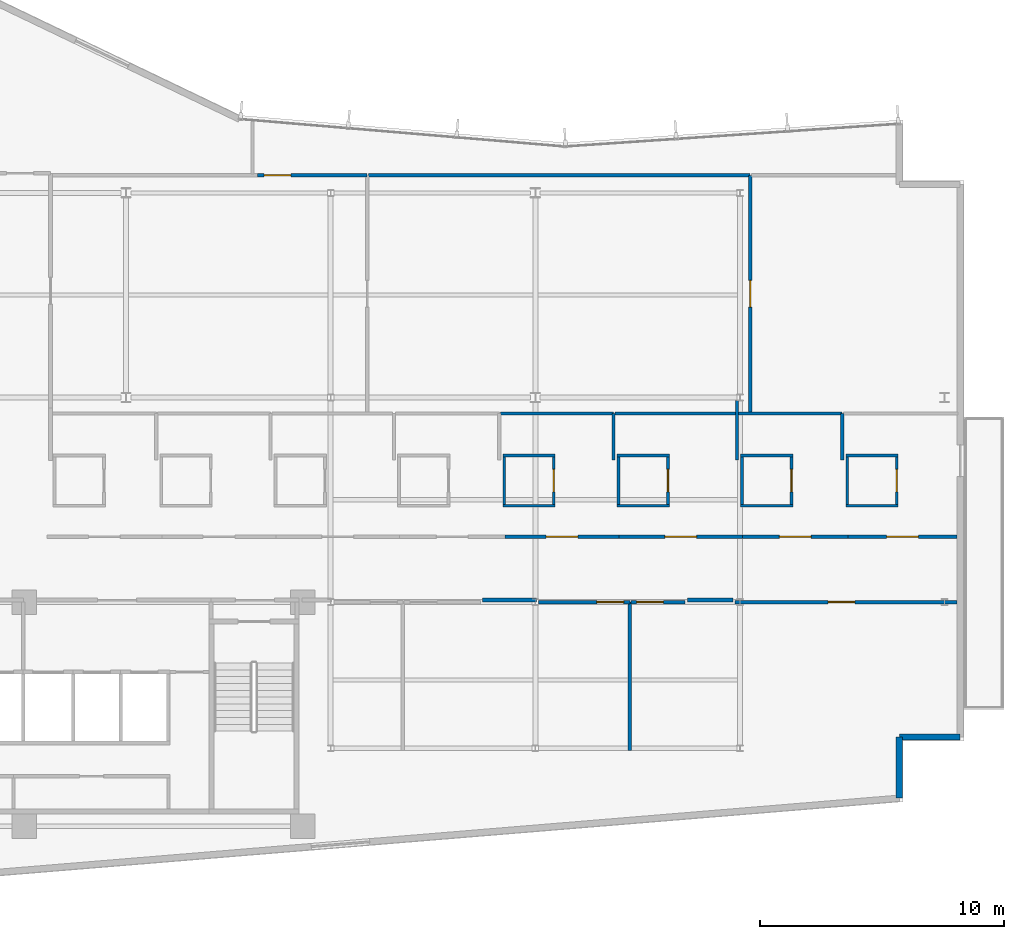
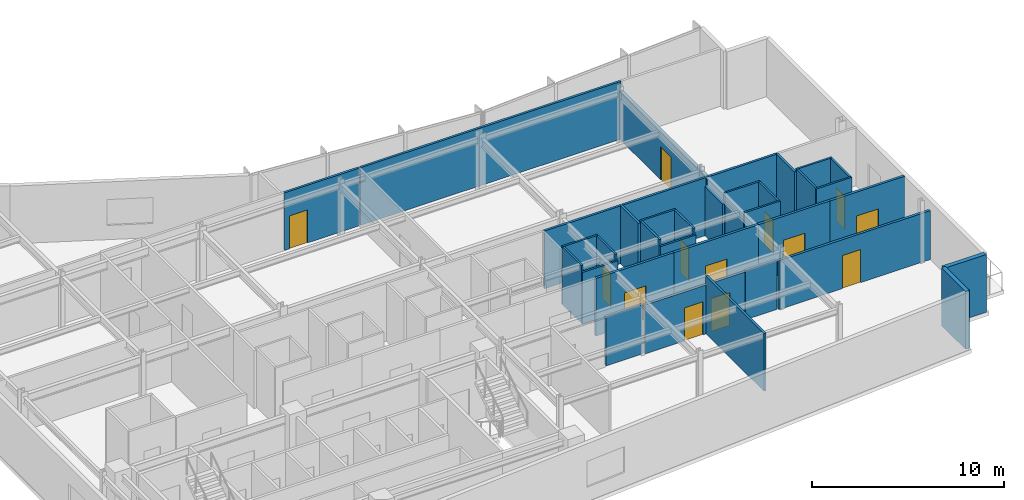
# One storey, part 11 of 15: 37 walls, 13 doors, 13 openings.
"""IFC4 building model written with IfcOpenShell, lengths in metres."""

from ifc_helpers import new_model, si_unit, direction, frame, frame_2d, origin, place, context, subcontext, project, spatial, rectangle, extrude, material, layer, layer_set, type_object, element, fill, save


model = new_model("IFC4")

# Units and contexts
model_context = context("Model", 3, precision=1e-05, world=origin(), true_north=direction((0.0, 1.0)))
body_context = subcontext(model_context, "Body", "Model", "MODEL_VIEW")
ifc_project = project(units=[si_unit("LENGTHUNIT", "METRE"), si_unit("AREAUNIT", "SQUARE_METRE"), si_unit("VOLUMEUNIT", "CUBIC_METRE"), si_unit("PLANEANGLEUNIT", "RADIAN"), si_unit("MASSUNIT", "GRAM", prefix="KILO")], contexts=[model_context])

# Site, building, storey
site_placement = place(None, origin())
site = spatial("IfcSite", under=ifc_project, at=site_placement, CompositionType="ELEMENT")
building_placement = place(site_placement, origin())
building = spatial("IfcBuilding", under=site, at=building_placement, Name="Varnakote Quay Hospital", CompositionType="ELEMENT")
storey_placement = place(building_placement, frame((0.0, 0.0, 231.60009765625)))
storey = spatial("IfcBuildingStorey", under=building, at=storey_placement, Name="L57", CompositionType="ELEMENT", Elevation=231.60009765625)

# Walls
ifc_material_1 = material(Name="Fire-rated acoustic gypsum stud wall", Category="gypsum")
ifc_layer_1 = layer(ifc_material_1, 0.159912109375)
ifc_layer_set_1 = layer_set([ifc_layer_1], Name="Fire-rated acoustic gypsum stud wall")
wall_type_1 = type_object("IfcWallType", Name="WL-COMP-160", PredefinedType="PARTITIONING", material=ifc_layer_set_1)
wall_1_placement = place(storey_placement, frame((31.439208984375, 12.080078125, 0.0), z_axis=(0.0, 0.0, 1.0), x_axis=(1.0, 0.0, 0.0)))
element("IfcWall", 1, at=wall_1_placement, inside=storey, type_object=wall_type_1, Name="L57 Corridor South Gap Wall", PredefinedType="PARTITIONING", context=body_context, shape_type="SweptSolid", body=[
    extrude(rectangle(XDim=2.199462890625, YDim=0.159912109375, at=frame_2d((1.099609375, 0.0))), origin(), (0.0, 0.0, 1.0), 3.11181640625),
])
wall_2_placement = place(storey_placement, frame((39.83935546875, 12.080078125, 0.0), z_axis=(0.0, 0.0, 1.0), x_axis=(1.0, 0.0, 0.0)))
element("IfcWall", 2, at=wall_2_placement, inside=storey, type_object=wall_type_1, Name="L57 Corridor South Gap Wall", PredefinedType="PARTITIONING", context=body_context, shape_type="SweptSolid", body=[
    extrude(rectangle(XDim=1.871337890625, YDim=0.159912109375, at=frame_2d((0.935546875, 0.0))), origin(), (0.0, 0.0, 1.0), 3.11181640625),
])
ifc_material_2 = material(Name="Moisture-resistant bathroom partition", Category="gypsum")
ifc_layer_2 = layer(ifc_material_2, 0.114990234375)
ifc_layer_set_2 = layer_set([ifc_layer_2], Name="Moisture-resistant bathroom partition")
wall_type_2 = type_object("IfcWallType", Name="WL-ENS-115", PredefinedType="PARTITIONING", material=ifc_layer_set_2)
wall_3_placement = place(storey_placement, frame((32.264892578125, 15.952392578125, 0.0), z_axis=(0.0, 0.0, 1.0), x_axis=(1.0, 0.0, 0.0)))
element("IfcWall", 3, at=wall_3_placement, inside=storey, type_object=wall_type_2, Name="L57 Inpatient En-Suite Bathroom 05 S Wall", PredefinedType="PARTITIONING", context=body_context, shape_type="SweptSolid", body=[
    extrude(rectangle(XDim=2.150146484375, YDim=0.114990234375, at=frame_2d((1.0751953125, 0.0))), origin(), (0.0, 0.0, 1.0), 3.288818359375),
])
wall_4_placement = place(storey_placement, frame((32.264892578125, 18.017578125, 0.0), z_axis=(0.0, 0.0, 1.0), x_axis=(1.0, 0.0, 0.0)))
element("IfcWall", 4, at=wall_4_placement, inside=storey, type_object=wall_type_2, Name="L57 Inpatient En-Suite Bathroom 05 N Wall", PredefinedType="PARTITIONING", context=body_context, shape_type="SweptSolid", body=[
    extrude(rectangle(XDim=2.150146484375, YDim=0.114990234375, at=frame_2d((1.0751953125, 0.0))), origin(), (0.0, 0.0, 1.0), 3.669921875),
])
wall_5_placement = place(storey_placement, frame((32.322509765625, 16.010009765625, 0.0), z_axis=(0.0, 0.0, 1.0), x_axis=(0.0, 1.0, 0.0)))
element("IfcWall", 5, at=wall_5_placement, inside=storey, type_object=wall_type_2, Name="L57 Inpatient En-Suite Bathroom 05 W Wall", PredefinedType="PARTITIONING", context=body_context, shape_type="SweptSolid", body=[
    extrude(rectangle(XDim=1.949951171875, YDim=0.114990234375, at=frame_2d((0.97509765625, 0.0))), origin(), (0.0, 0.0, 1.0), 3.669921875),
])

# Wall, opening, door
wall_6_placement = place(storey_placement, frame((34.357421875, 16.010009765625, 0.0), z_axis=(0.0, 0.0, 1.0), x_axis=(0.0, 1.0, 0.0)))
wall_6 = element("IfcWall", 6, at=wall_6_placement, inside=storey, type_object=wall_type_2, Name="L57 Inpatient En-Suite Bathroom 05 E Wall", PredefinedType="PARTITIONING", context=body_context, shape_type="SweptSolid", body=[
    extrude(rectangle(XDim=1.949951171875, YDim=0.114990234375, at=frame_2d((0.97509765625, 0.0))), origin(), (0.0, 0.0, 1.0), 3.669921875),
])
opening_1_placement = place(wall_6_placement, frame((0.514892578125, 0.0, 0.0)))
opening_1 = element("IfcOpeningElement", 7, at=opening_1_placement, cuts=wall_6, Name="Opening D-L57-ENS05", PredefinedType="OPENING", context=body_context, shape_type="SweptSolid", body=[
    extrude(rectangle(XDim=0.919921875, YDim=2.10009765625, at=frame_2d((0.4599609375, 1.050048828125))), frame((0.0, 0.0673828125, 0.0), z_axis=(0.0, -1.0, 0.0), x_axis=(1.0, 0.0, 0.0)), (0.0, 0.0, 1.0), 0.135009765625),
])
ifc_material_3 = material(Name="Moisture-sealed en-suite bathroom door")
door_type_1 = type_object("IfcDoorType", Name="DR-ENS-920x2100", OperationType="NOTDEFINED", PredefinedType="DOOR", material=ifc_material_3)
door_1_placement = place(opening_1_placement, origin())
door_1 = element("IfcDoor", 8, at=door_1_placement, inside=storey, type_object=door_type_1, Name="L57 Inpatient En-Suite Bathroom 05 Door", OperationType="SINGLE_SWING_LEFT", OverallHeight=2.10009765625, OverallWidth=0.919921875, PredefinedType="DOOR", context=body_context, shape_type="SweptSolid", body=[
    extrude(rectangle(XDim=0.919921875, YDim=2.10009765625, at=frame_2d((0.4599609375, 1.050048828125))), frame((0.0, 0.02490234375, 0.0), z_axis=(0.0, -1.0, 0.0), x_axis=(1.0, 0.0, 0.0)), (0.0, 0.0, 1.0), 0.050048828125),
])
fill(opening_1, door_1)

# Walls
wall_7_placement = place(storey_placement, frame((36.955078125, 15.952392578125, 0.0), z_axis=(0.0, 0.0, 1.0), x_axis=(1.0, 0.0, 0.0)))
element("IfcWall", 9, at=wall_7_placement, inside=storey, type_object=wall_type_2, Name="L57 Inpatient En-Suite Bathroom 06 S Wall", PredefinedType="PARTITIONING", context=body_context, shape_type="SweptSolid", body=[
    extrude(rectangle(XDim=2.14990234375, YDim=0.114990234375, at=frame_2d((1.074951171875, 0.0))), origin(), (0.0, 0.0, 1.0), 3.288818359375),
])
wall_8_placement = place(storey_placement, frame((36.955078125, 18.017578125, 0.0), z_axis=(0.0, 0.0, 1.0), x_axis=(1.0, 0.0, 0.0)))
element("IfcWall", 10, at=wall_8_placement, inside=storey, type_object=wall_type_2, Name="L57 Inpatient En-Suite Bathroom 06 N Wall", PredefinedType="PARTITIONING", context=body_context, shape_type="SweptSolid", body=[
    extrude(rectangle(XDim=2.14990234375, YDim=0.114990234375, at=frame_2d((1.074951171875, 0.0))), origin(), (0.0, 0.0, 1.0), 3.669921875),
])
wall_9_placement = place(storey_placement, frame((37.012451171875, 16.010009765625, 0.0), z_axis=(0.0, 0.0, 1.0), x_axis=(0.0, 1.0, 0.0)))
element("IfcWall", 11, at=wall_9_placement, inside=storey, type_object=wall_type_2, Name="L57 Inpatient En-Suite Bathroom 06 W Wall", PredefinedType="PARTITIONING", context=body_context, shape_type="SweptSolid", body=[
    extrude(rectangle(XDim=1.949951171875, YDim=0.114990234375, at=frame_2d((0.97509765625, 0.0))), origin(), (0.0, 0.0, 1.0), 3.669921875),
])

# Wall, opening, door
wall_10_placement = place(storey_placement, frame((39.047607421875, 16.010009765625, 0.0), z_axis=(0.0, 0.0, 1.0), x_axis=(0.0, 1.0, 0.0)))
wall_10 = element("IfcWall", 12, at=wall_10_placement, inside=storey, type_object=wall_type_2, Name="L57 Inpatient En-Suite Bathroom 06 E Wall", PredefinedType="PARTITIONING", context=body_context, shape_type="SweptSolid", body=[
    extrude(rectangle(XDim=1.949951171875, YDim=0.114990234375, at=frame_2d((0.97509765625, 0.0))), origin(), (0.0, 0.0, 1.0), 3.669921875),
])
opening_2_placement = place(wall_10_placement, frame((0.514892578125, 0.0, 0.0)))
opening_2 = element("IfcOpeningElement", 13, at=opening_2_placement, cuts=wall_10, Name="Opening D-L57-ENS06", PredefinedType="OPENING", context=body_context, shape_type="SweptSolid", body=[
    extrude(rectangle(XDim=0.919921875, YDim=2.10009765625, at=frame_2d((0.4599609375, 1.050048828125))), frame((0.0, 0.0673828125, 0.0), z_axis=(0.0, -1.0, 0.0), x_axis=(1.0, 0.0, 0.0)), (0.0, 0.0, 1.0), 0.135009765625),
])
door_2_placement = place(opening_2_placement, origin())
door_2 = element("IfcDoor", 14, at=door_2_placement, inside=storey, type_object=door_type_1, Name="L57 Inpatient En-Suite Bathroom 06 Door", OperationType="SINGLE_SWING_RIGHT", OverallHeight=2.10009765625, OverallWidth=0.919921875, PredefinedType="DOOR", context=body_context, shape_type="SweptSolid", body=[
    extrude(rectangle(XDim=0.919921875, YDim=2.10009765625, at=frame_2d((0.4599609375, 1.050048828125))), frame((0.0, 0.02490234375, 0.0), z_axis=(0.0, -1.0, 0.0), x_axis=(1.0, 0.0, 0.0)), (0.0, 0.0, 1.0), 0.050048828125),
])
fill(opening_2, door_2)

# Walls
for number, where, z_axis, x_axis, name in (
    (15, (42.02490234375, 15.952392578125, 0.0), (0.0, 0.0, 1.0), (1.0, 0.0, 0.0), "L57 Inpatient En-Suite Bathroom 07 S Wall"),
    (16, (42.02490234375, 18.017578125, 0.0), (0.0, 0.0, 1.0), (1.0, 0.0, 0.0), "L57 Inpatient En-Suite Bathroom 07 N Wall"),
):
    element("IfcWall", number, at=place(storey_placement, frame(where, z_axis=z_axis, x_axis=x_axis)), inside=storey, type_object=wall_type_2, Name=name, PredefinedType="PARTITIONING", context=body_context, shape_type="SweptSolid", body=[
        extrude(rectangle(XDim=2.150146484375, YDim=0.114990234375, at=frame_2d((1.0751953125, 0.0))), origin(), (0.0, 0.0, 1.0), 3.669921875),
    ])
wall_11_placement = place(storey_placement, frame((42.08251953125, 16.010009765625, 0.0), z_axis=(0.0, 0.0, 1.0), x_axis=(0.0, 1.0, 0.0)))
element("IfcWall", 17, at=wall_11_placement, inside=storey, type_object=wall_type_2, Name="L57 Inpatient En-Suite Bathroom 07 W Wall", PredefinedType="PARTITIONING", context=body_context, shape_type="SweptSolid", body=[
    extrude(rectangle(XDim=1.949951171875, YDim=0.114990234375, at=frame_2d((0.97509765625, 0.0))), origin(), (0.0, 0.0, 1.0), 3.116943359375),
])

# Wall, opening, door
wall_12_placement = place(storey_placement, frame((44.117431640625, 16.010009765625, 0.0), z_axis=(0.0, 0.0, 1.0), x_axis=(0.0, 1.0, 0.0)))
wall_12 = element("IfcWall", 18, at=wall_12_placement, inside=storey, type_object=wall_type_2, Name="L57 Inpatient En-Suite Bathroom 07 E Wall", PredefinedType="PARTITIONING", context=body_context, shape_type="SweptSolid", body=[
    extrude(rectangle(XDim=1.949951171875, YDim=0.114990234375, at=frame_2d((0.97509765625, 0.0))), origin(), (0.0, 0.0, 1.0), 3.669921875),
])
opening_3_placement = place(wall_12_placement, frame((0.514892578125, 0.0, 0.0)))
opening_3 = element("IfcOpeningElement", 19, at=opening_3_placement, cuts=wall_12, Name="Opening D-L57-ENS07", PredefinedType="OPENING", context=body_context, shape_type="SweptSolid", body=[
    extrude(rectangle(XDim=0.919921875, YDim=2.10009765625, at=frame_2d((0.4599609375, 1.050048828125))), frame((0.0, 0.0673828125, 0.0), z_axis=(0.0, -1.0, 0.0), x_axis=(1.0, 0.0, 0.0)), (0.0, 0.0, 1.0), 0.135009765625),
])
door_3_placement = place(opening_3_placement, origin())
door_3 = element("IfcDoor", 20, at=door_3_placement, inside=storey, type_object=door_type_1, Name="L57 Inpatient En-Suite Bathroom 07 Door", OperationType="SINGLE_SWING_LEFT", OverallHeight=2.10009765625, OverallWidth=0.919921875, PredefinedType="DOOR", context=body_context, shape_type="SweptSolid", body=[
    extrude(rectangle(XDim=0.919921875, YDim=2.10009765625, at=frame_2d((0.4599609375, 1.050048828125))), frame((0.0, 0.02490234375, 0.0), z_axis=(0.0, -1.0, 0.0), x_axis=(1.0, 0.0, 0.0)), (0.0, 0.0, 1.0), 0.050048828125),
])
fill(opening_3, door_3)

# Walls
for number, where, z_axis, x_axis, name in (
    (21, (46.344970703125, 15.952392578125, 0.0), (0.0, 0.0, 1.0), (1.0, 0.0, 0.0), "L57 Inpatient En-Suite Bathroom 08 S Wall"),
    (22, (46.344970703125, 18.017578125, 0.0), (0.0, 0.0, 1.0), (1.0, 0.0, 0.0), "L57 Inpatient En-Suite Bathroom 08 N Wall"),
):
    element("IfcWall", number, at=place(storey_placement, frame(where, z_axis=z_axis, x_axis=x_axis)), inside=storey, type_object=wall_type_2, Name=name, PredefinedType="PARTITIONING", context=body_context, shape_type="SweptSolid", body=[
        extrude(rectangle(XDim=2.150146484375, YDim=0.114990234375, at=frame_2d((1.0751953125, 0.0))), origin(), (0.0, 0.0, 1.0), 3.669921875),
    ])
wall_13_placement = place(storey_placement, frame((46.402587890625, 16.010009765625, 0.0), z_axis=(0.0, 0.0, 1.0), x_axis=(0.0, 1.0, 0.0)))
element("IfcWall", 23, at=wall_13_placement, inside=storey, type_object=wall_type_2, Name="L57 Inpatient En-Suite Bathroom 08 W Wall", PredefinedType="PARTITIONING", context=body_context, shape_type="SweptSolid", body=[
    extrude(rectangle(XDim=1.949951171875, YDim=0.114990234375, at=frame_2d((0.97509765625, 0.0))), origin(), (0.0, 0.0, 1.0), 3.669921875),
])

# Wall, opening, door
wall_14_placement = place(storey_placement, frame((48.4375, 16.010009765625, 0.0), z_axis=(0.0, 0.0, 1.0), x_axis=(0.0, 1.0, 0.0)))
wall_14 = element("IfcWall", 24, at=wall_14_placement, inside=storey, type_object=wall_type_2, Name="L57 Inpatient En-Suite Bathroom 08 E Wall", PredefinedType="PARTITIONING", context=body_context, shape_type="SweptSolid", body=[
    extrude(rectangle(XDim=1.949951171875, YDim=0.114990234375, at=frame_2d((0.97509765625, 0.0))), origin(), (0.0, 0.0, 1.0), 3.669921875),
])
opening_4_placement = place(wall_14_placement, frame((0.514892578125, 0.0, 0.0)))
opening_4 = element("IfcOpeningElement", 25, at=opening_4_placement, cuts=wall_14, Name="Opening D-L57-ENS08", PredefinedType="OPENING", context=body_context, shape_type="SweptSolid", body=[
    extrude(rectangle(XDim=0.919921875, YDim=2.10009765625, at=frame_2d((0.4599609375, 1.050048828125))), frame((0.0, 0.0673828125, 0.0), z_axis=(0.0, -1.0, 0.0), x_axis=(1.0, 0.0, 0.0)), (0.0, 0.0, 1.0), 0.135009765625),
])
door_4_placement = place(opening_4_placement, origin())
door_4 = element("IfcDoor", 26, at=door_4_placement, inside=storey, type_object=door_type_1, Name="L57 Inpatient En-Suite Bathroom 08 Door", OperationType="SINGLE_SWING_RIGHT", OverallHeight=2.10009765625, OverallWidth=0.919921875, PredefinedType="DOOR", context=body_context, shape_type="SweptSolid", body=[
    extrude(rectangle(XDim=0.919921875, YDim=2.10009765625, at=frame_2d((0.4599609375, 1.050048828125))), frame((0.0, 0.02490234375, 0.0), z_axis=(0.0, -1.0, 0.0), x_axis=(1.0, 0.0, 0.0)), (0.0, 0.0, 1.0), 0.050048828125),
])
fill(opening_4, door_4)

# Walls
ifc_material_4 = material(Name="Precast concrete N50 (f'c 50 MPa)", Category="concrete")
ifc_layer_3 = layer(ifc_material_4, 0.260009765625)
ifc_layer_set_3 = layer_set([ifc_layer_3], Name="Precast concrete N50 (f'c 50 MPa)")
wall_type_3 = type_object("IfcWallType", Name="WL-EXT-BRICK-260", PredefinedType="STANDARD", material=ifc_layer_set_3)
wall_15_placement = place(storey_placement, frame((48.5400390625, 3.947509765625, 0.0), z_axis=(0.0, 0.0, 1.0), x_axis=(0.0, 1.0, 0.0)))
element("IfcWall", 27, at=wall_15_placement, inside=storey, type_object=wall_type_3, Name="L57 Brick-Faced Precast Exterior Wall", PredefinedType="STANDARD", context=body_context, shape_type="SweptSolid", body=[
    extrude(rectangle(XDim=2.512451171875, YDim=0.260009765625, at=frame_2d((1.25634765625, 0.0))), origin(), (0.0, 0.0, 1.0), 3.669921875),
])
wall_16_placement = place(storey_placement, frame((48.5400390625, 6.4599609375, 0.0), z_axis=(0.0, 0.0, 1.0), x_axis=(1.0, 0.0, 0.0)))
element("IfcWall", 28, at=wall_16_placement, inside=storey, type_object=wall_type_3, Name="L57 Brick-Faced Precast Exterior Wall", PredefinedType="STANDARD", context=body_context, shape_type="SweptSolid", body=[
    extrude(rectangle(XDim=2.5, YDim=0.260009765625, at=frame_2d((1.25, 0.0))), origin(), (0.0, 0.0, 1.0), 3.669921875),
])
ifc_material_5 = material(Name="Smoke-proof clinical partition", Category="gypsum")
ifc_layer_4 = layer(ifc_material_5, 0.135009765625)
ifc_layer_set_4 = layer_set([ifc_layer_4], Name="Smoke-proof clinical partition")
wall_type_4 = type_object("IfcWallType", Name="WL-SMOKE-135", PredefinedType="PARTITIONING", material=ifc_layer_set_4)
wall_17_placement = place(storey_placement, frame((37.47998046875, 5.89990234375, 0.0), z_axis=(0.0, 0.0, 1.0), x_axis=(0.0, 1.0, 0.0)))
element("IfcWall", 29, at=wall_17_placement, inside=storey, type_object=wall_type_4, Name="L57 Clinical Interior Partition", PredefinedType="PARTITIONING", context=body_context, shape_type="SweptSolid", body=[
    extrude(rectangle(XDim=6.10009765625, YDim=0.135009765625, at=frame_2d((3.050048828125, 0.0))), origin(), (0.0, 0.0, 1.0), 3.669921875),
])
wall_18_placement = place(storey_placement, frame((36.81005859375, 17.83251953125, 0.0), z_axis=(0.0, 0.0, 1.0), x_axis=(0.0, 1.0, 0.0)))
element("IfcWall", 30, at=wall_18_placement, inside=storey, type_object=wall_type_4, Name="L57 Clinical Interior Partition", PredefinedType="PARTITIONING", context=body_context, shape_type="SweptSolid", body=[
    extrude(rectangle(XDim=1.907470703125, YDim=0.135009765625, at=frame_2d((0.95361328125, 0.0))), origin(), (0.0, 0.0, 1.0), 3.669921875),
])
wall_19_placement = place(storey_placement, frame((36.81005859375, 19.739990234375, 0.0), z_axis=(0.0, 0.0, 1.0), x_axis=(-1.0, 0.0, 0.0)))
element("IfcWall", 31, at=wall_19_placement, inside=storey, type_object=wall_type_4, Name="L57 Clinical Interior Partition", PredefinedType="PARTITIONING", context=body_context, shape_type="SweptSolid", body=[
    extrude(rectangle(XDim=4.632568359375, YDim=0.135009765625, at=frame_2d((2.31640625, 0.0))), origin(), (0.0, 0.0, 1.0), 3.669921875),
])
wall_20_placement = place(storey_placement, frame((41.8798828125, 17.83251953125, 0.0), z_axis=(0.0, 0.0, 1.0), x_axis=(0.0, 1.0, 0.0)))
element("IfcWall", 32, at=wall_20_placement, inside=storey, type_object=wall_type_4, Name="L57 Clinical Interior Partition", PredefinedType="PARTITIONING", context=body_context, shape_type="SweptSolid", body=[
    extrude(rectangle(XDim=2.4375, YDim=0.135009765625, at=frame_2d((1.21875, 0.0))), origin(), (0.0, 0.0, 1.0), 3.116943359375),
])
wall_21_placement = place(storey_placement, frame((41.8798828125, 19.739990234375, 0.0), z_axis=(0.0, 0.0, 1.0), x_axis=(-1.0, 0.0, 0.0)))
element("IfcWall", 33, at=wall_21_placement, inside=storey, type_object=wall_type_4, Name="L57 Clinical Interior Partition", PredefinedType="PARTITIONING", context=body_context, shape_type="SweptSolid", body=[
    extrude(rectangle(XDim=5.012451171875, YDim=0.135009765625, at=frame_2d((2.50634765625, 0.0))), origin(), (0.0, 0.0, 1.0), 3.669921875),
])
wall_22_placement = place(storey_placement, frame((46.199951171875, 17.83251953125, 0.0), z_axis=(0.0, 0.0, 1.0), x_axis=(0.0, 1.0, 0.0)))
element("IfcWall", 34, at=wall_22_placement, inside=storey, type_object=wall_type_4, Name="L57 Clinical Interior Partition", PredefinedType="PARTITIONING", context=body_context, shape_type="SweptSolid", body=[
    extrude(rectangle(XDim=1.907470703125, YDim=0.135009765625, at=frame_2d((0.95361328125, 0.0))), origin(), (0.0, 0.0, 1.0), 3.669921875),
])
wall_23_placement = place(storey_placement, frame((46.199951171875, 19.739990234375, 0.0), z_axis=(0.0, 0.0, 1.0), x_axis=(-1.0, 0.0, 0.0)))
element("IfcWall", 35, at=wall_23_placement, inside=storey, type_object=wall_type_4, Name="L57 Clinical Interior Partition", PredefinedType="PARTITIONING", context=body_context, shape_type="SweptSolid", body=[
    extrude(rectangle(XDim=4.262451171875, YDim=0.135009765625, at=frame_2d((2.13134765625, 0.0))), origin(), (0.0, 0.0, 1.0), 3.669921875),
])

# Wall, opening, door
wall_24_placement = place(storey_placement, frame((26.699951171875, 29.52001953125, 0.0), z_axis=(0.0, 0.0, 1.0), x_axis=(-1.0, 0.0, 0.0)))
wall_24 = element("IfcWall", 36, at=wall_24_placement, inside=storey, type_object=wall_type_4, Name="L57 Clinical Interior Partition", PredefinedType="PARTITIONING", context=body_context, shape_type="SweptSolid", body=[
    extrude(rectangle(XDim=4.513427734375, YDim=0.135009765625, at=frame_2d((2.2568359375, 0.0))), origin(), (0.0, 0.0, 1.0), 3.669921875),
])
opening_5_placement = place(wall_24_placement, frame((3.13818359375, 0.0, 0.0)))
opening_5 = element("IfcOpeningElement", 37, at=opening_5_placement, cuts=wall_24, Name="Opening D-L57-MD06", PredefinedType="OPENING", context=body_context, shape_type="SweptSolid", body=[
    extrude(rectangle(XDim=1.10009765625, YDim=2.10009765625, at=frame_2d((0.550048828125, 1.050048828125))), frame((0.0, 0.077392578125, 0.0), z_axis=(0.0, -1.0, 0.0), x_axis=(1.0, 0.0, 0.0)), (0.0, 0.0, 1.0), 0.155029296875),
])
ifc_material_6 = material(Name="Acoustic timber clinical consult door", Category="wood")
door_type_2 = type_object("IfcDoorType", Name="DR-CLIN-FD30S-1100x2100", OperationType="NOTDEFINED", PredefinedType="DOOR", material=ifc_material_6)
door_5_placement = place(opening_5_placement, origin())
door_5 = element("IfcDoor", 38, at=door_5_placement, inside=storey, type_object=door_type_2, Name="L57 Vascular Observation Treatment Suite Door", OperationType="SINGLE_SWING_LEFT", OverallHeight=2.10009765625, OverallWidth=1.10009765625, PredefinedType="DOOR", context=body_context, shape_type="SweptSolid", body=[
    extrude(rectangle(XDim=1.10009765625, YDim=2.10009765625, at=frame_2d((0.550048828125, 1.050048828125))), frame((0.0, 0.02490234375, 0.0), z_axis=(0.0, -1.0, 0.0), x_axis=(1.0, 0.0, 0.0)), (0.0, 0.0, 1.0), 0.050048828125),
])
fill(opening_5, door_5)

wall_25_placement = place(storey_placement, frame((42.419921875, 19.797607421875, 0.0), z_axis=(0.0, 0.0, 1.0), x_axis=(0.0, 1.0, 0.0)))
wall_25 = element("IfcWall", 39, at=wall_25_placement, inside=storey, type_object=wall_type_4, Name="L57 Clinical Interior Partition", PredefinedType="PARTITIONING", context=body_context, shape_type="SweptSolid", body=[
    extrude(rectangle(XDim=9.722412109375, YDim=0.135009765625, at=frame_2d((4.861328125, 0.0))), origin(), (0.0, 0.0, 1.0), 3.116943359375),
])
opening_6_placement = place(wall_25_placement, frame((4.311279296875, 0.0, 0.0)))
opening_6 = element("IfcOpeningElement", 40, at=opening_6_placement, cuts=wall_25, Name="Opening D-L57-DLNG", PredefinedType="OPENING", context=body_context, shape_type="SweptSolid", body=[
    extrude(rectangle(XDim=1.10009765625, YDim=2.10009765625, at=frame_2d((0.550048828125, 1.050048828125))), frame((0.0, 0.077392578125, 0.0), z_axis=(0.0, -1.0, 0.0), x_axis=(1.0, 0.0, 0.0)), (0.0, 0.0, 1.0), 0.155029296875),
])
door_6_placement = place(opening_6_placement, origin())
door_6 = element("IfcDoor", 41, at=door_6_placement, inside=storey, type_object=door_type_2, Name="L57 Waterfront Patient & Family Dayroom Door", OperationType="SINGLE_SWING_RIGHT", OverallHeight=2.10009765625, OverallWidth=1.10009765625, PredefinedType="DOOR", context=body_context, shape_type="SweptSolid", body=[
    extrude(rectangle(XDim=1.10009765625, YDim=2.10009765625, at=frame_2d((0.550048828125, 1.050048828125))), frame((0.0, 0.02490234375, 0.0), z_axis=(0.0, -1.0, 0.0), x_axis=(1.0, 0.0, 0.0)), (0.0, 0.0, 1.0), 0.050048828125),
])
fill(opening_6, door_6)

# Wall
wall_26_placement = place(storey_placement, frame((42.419921875, 29.52001953125, 0.0), z_axis=(0.0, 0.0, 1.0), x_axis=(-1.0, 0.0, 0.0)))
element("IfcWall", 42, at=wall_26_placement, inside=storey, type_object=wall_type_4, Name="L57 Clinical Interior Partition", PredefinedType="PARTITIONING", context=body_context, shape_type="SweptSolid", body=[
    extrude(rectangle(XDim=15.662353515625, YDim=0.135009765625, at=frame_2d((7.8310546875, 0.0))), origin(), (0.0, 0.0, 1.0), 3.669921875),
])

# Wall, opening, door
ifc_material_7 = material(Name="Fire-rated clinical gypsum partition", Category="gypsum")
ifc_layer_5 = layer(ifc_material_7, 0.14990234375)
ifc_layer_set_5 = layer_set([ifc_layer_5], Name="Fire-rated clinical gypsum partition")
wall_type_5 = type_object("IfcWallType", Name="WL-WARD-150", PredefinedType="PARTITIONING", material=ifc_layer_set_5)
wall_27_placement = place(storey_placement, frame((37.47998046875, 12.0, 0.0), z_axis=(0.0, 0.0, 1.0), x_axis=(-1.0, 0.0, 0.0)))
wall_27 = element("IfcWall", 43, at=wall_27_placement, inside=storey, type_object=wall_type_5, Name="L57 Clinical Interior Partition", PredefinedType="PARTITIONING", context=body_context, shape_type="SweptSolid", body=[
    extrude(rectangle(XDim=3.751953125, YDim=0.14990234375, at=frame_2d((1.8759765625, 0.0))), origin(), (0.0, 0.0, 1.0), 3.11181640625),
])
opening_7_placement = place(wall_27_placement, frame((0.25634765625, 0.0, 0.0)))
opening_7 = element("IfcOpeningElement", 44, at=opening_7_placement, cuts=wall_27, Name="Opening D-L57-RM1", PredefinedType="OPENING", context=body_context, shape_type="SweptSolid", body=[
    extrude(rectangle(XDim=1.10009765625, YDim=2.10009765625, at=frame_2d((0.550048828125, 1.050048828125))), frame((0.0, 0.0849609375, 0.0), z_axis=(0.0, -1.0, 0.0), x_axis=(1.0, 0.0, 0.0)), (0.0, 0.0, 1.0), 0.169921875),
])
door_7_placement = place(opening_7_placement, origin())
door_7 = element("IfcDoor", 45, at=door_7_placement, inside=storey, type_object=door_type_2, Name="L57 Cardiac Telemetry Treatment Suite Door", OperationType="SINGLE_SWING_LEFT", OverallHeight=2.10009765625, OverallWidth=1.10009765625, PredefinedType="DOOR", context=body_context, shape_type="SweptSolid", body=[
    extrude(rectangle(XDim=1.10009765625, YDim=2.10009765625, at=frame_2d((0.550048828125, 1.050048828125))), frame((0.0, 0.02490234375, 0.0), z_axis=(0.0, -1.0, 0.0), x_axis=(1.0, 0.0, 0.0)), (0.0, 0.0, 1.0), 0.050048828125),
])
fill(opening_7, door_7)

wall_28_placement = place(storey_placement, frame((39.75, 12.0, 0.0), z_axis=(0.0, 0.0, 1.0), x_axis=(-1.0, 0.0, 0.0)))
wall_28 = element("IfcWall", 46, at=wall_28_placement, inside=storey, type_object=wall_type_5, Name="L57 Clinical Interior Partition", PredefinedType="PARTITIONING", context=body_context, shape_type="SweptSolid", body=[
    extrude(rectangle(XDim=2.21240234375, YDim=0.14990234375, at=frame_2d((1.106201171875, 0.0))), origin(), (0.0, 0.0, 1.0), 3.11181640625),
])
opening_8_placement = place(wall_28_placement, frame((0.894775390625, 0.0, 0.0)))
opening_8 = element("IfcOpeningElement", 47, at=opening_8_placement, cuts=wall_28, Name="Opening D-L57-RM2", PredefinedType="OPENING", context=body_context, shape_type="SweptSolid", body=[
    extrude(rectangle(XDim=1.10009765625, YDim=2.10009765625, at=frame_2d((0.550048828125, 1.050048828125))), frame((0.0, 0.0849609375, 0.0), z_axis=(0.0, -1.0, 0.0), x_axis=(1.0, 0.0, 0.0)), (0.0, 0.0, 1.0), 0.169921875),
])
door_8_placement = place(opening_8_placement, origin())
door_8 = element("IfcDoor", 48, at=door_8_placement, inside=storey, type_object=door_type_2, Name="L57 Vascular Diagnostics Office Door", OperationType="SINGLE_SWING_RIGHT", OverallHeight=2.10009765625, OverallWidth=1.10009765625, PredefinedType="DOOR", context=body_context, shape_type="SweptSolid", body=[
    extrude(rectangle(XDim=1.10009765625, YDim=2.10009765625, at=frame_2d((0.550048828125, 1.050048828125))), frame((0.0, 0.02490234375, 0.0), z_axis=(0.0, -1.0, 0.0), x_axis=(1.0, 0.0, 0.0)), (0.0, 0.0, 1.0), 0.050048828125),
])
fill(opening_8, door_8)

wall_29_placement = place(storey_placement, frame((50.919921875, 12.0, 0.0), z_axis=(0.0, 0.0, 1.0), x_axis=(-1.0, 0.0, 0.0)))
wall_29 = element("IfcWall", 49, at=wall_29_placement, inside=storey, type_object=wall_type_5, Name="L57 Clinical Interior Partition", PredefinedType="PARTITIONING", context=body_context, shape_type="SweptSolid", body=[
    extrude(rectangle(XDim=9.119873046875, YDim=0.14990234375, at=frame_2d((4.56005859375, 0.0))), origin(), (0.0, 0.0, 1.0), 3.11181640625),
])
opening_9_placement = place(wall_29_placement, frame((4.200439453125, 0.0, 0.0)))
opening_9 = element("IfcOpeningElement", 50, at=opening_9_placement, cuts=wall_29, Name="Opening D-L57-SE1", PredefinedType="OPENING", context=body_context, shape_type="SweptSolid", body=[
    extrude(rectangle(XDim=1.10009765625, YDim=2.10009765625, at=frame_2d((0.550048828125, 1.050048828125))), frame((0.0, 0.0849609375, 0.0), z_axis=(0.0, -1.0, 0.0), x_axis=(1.0, 0.0, 0.0)), (0.0, 0.0, 1.0), 0.169921875),
])
door_9_placement = place(opening_9_placement, origin())
door_9 = element("IfcDoor", 51, at=door_9_placement, inside=storey, type_object=door_type_2, Name="L57 Clinical Biomedical Engineering Office Door", OperationType="SINGLE_SWING_LEFT", OverallHeight=2.10009765625, OverallWidth=1.10009765625, PredefinedType="DOOR", context=body_context, shape_type="SweptSolid", body=[
    extrude(rectangle(XDim=1.10009765625, YDim=2.10009765625, at=frame_2d((0.550048828125, 1.050048828125))), frame((0.0, 0.02490234375, 0.0), z_axis=(0.0, -1.0, 0.0), x_axis=(1.0, 0.0, 0.0)), (0.0, 0.0, 1.0), 0.050048828125),
])
fill(opening_9, door_9)

wall_30_placement = place(storey_placement, frame((37.035888671875, 14.679931640625, 0.0), z_axis=(0.0, 0.0, 1.0), x_axis=(-1.0, 0.0, 0.0)))
wall_30 = element("IfcWall", 52, at=wall_30_placement, inside=storey, type_object=wall_type_5, Name="L57 Clinical Interior Partition", PredefinedType="PARTITIONING", context=body_context, shape_type="SweptSolid", body=[
    extrude(rectangle(XDim=4.68798828125, YDim=0.14990234375, at=frame_2d((2.343994140625, 0.0))), origin(), (0.0, 0.0, 1.0), 3.669921875),
])
opening_10_placement = place(wall_30_placement, frame((1.694091796875, 0.0, 0.0)))
opening_10 = element("IfcOpeningElement", 53, at=opening_10_placement, cuts=wall_30, Name="Opening D-L57-BR05", PredefinedType="OPENING", context=body_context, shape_type="SweptSolid", body=[
    extrude(rectangle(XDim=1.300048828125, YDim=2.14990234375, at=frame_2d((0.64990234375, 1.074951171875))), frame((0.0, 0.0849609375, 0.0), z_axis=(0.0, -1.0, 0.0), x_axis=(1.0, 0.0, 0.0)), (0.0, 0.0, 1.0), 0.169921875),
])
ifc_material_8 = material(Name="Solid-core timber clinical bed door", Category="wood")
door_type_3 = type_object("IfcDoorType", Name="DR-WARD-FD30S-1300x2150", OperationType="NOTDEFINED", PredefinedType="DOOR", material=ifc_material_8)
door_10_placement = place(opening_10_placement, origin())
door_10 = element("IfcDoor", 54, at=door_10_placement, inside=storey, type_object=door_type_3, Name="L57 Resident Care Bedroom 05 Door", OperationType="SINGLE_SWING_LEFT", OverallHeight=2.14990234375, OverallWidth=1.300048828125, PredefinedType="DOOR", context=body_context, shape_type="SweptSolid", body=[
    extrude(rectangle(XDim=1.300048828125, YDim=2.14990234375, at=frame_2d((0.64990234375, 1.074951171875))), frame((0.0, 0.02490234375, 0.0), z_axis=(0.0, -1.0, 0.0), x_axis=(1.0, 0.0, 0.0)), (0.0, 0.0, 1.0), 0.050048828125),
])
fill(opening_10, door_10)

wall_31_placement = place(storey_placement, frame((42.10595703125, 14.679931640625, 0.0), z_axis=(0.0, 0.0, 1.0), x_axis=(-1.0, 0.0, 0.0)))
wall_31 = element("IfcWall", 55, at=wall_31_placement, inside=storey, type_object=wall_type_5, Name="L57 Clinical Interior Partition", PredefinedType="PARTITIONING", context=body_context, shape_type="SweptSolid", body=[
    extrude(rectangle(XDim=5.06787109375, YDim=0.14990234375, at=frame_2d((2.533935546875, 0.0))), origin(), (0.0, 0.0, 1.0), 3.669921875),
])
opening_11_placement = place(wall_31_placement, frame((1.884033203125, 0.0, 0.0)))
opening_11 = element("IfcOpeningElement", 56, at=opening_11_placement, cuts=wall_31, Name="Opening D-L57-BR06", PredefinedType="OPENING", context=body_context, shape_type="SweptSolid", body=[
    extrude(rectangle(XDim=1.300048828125, YDim=2.14990234375, at=frame_2d((0.64990234375, 1.074951171875))), frame((0.0, 0.0849609375, 0.0), z_axis=(0.0, -1.0, 0.0), x_axis=(1.0, 0.0, 0.0)), (0.0, 0.0, 1.0), 0.169921875),
])
door_11_placement = place(opening_11_placement, origin())
door_11 = element("IfcDoor", 57, at=door_11_placement, inside=storey, type_object=door_type_3, Name="L57 Resident Care Bedroom 06 Door", OperationType="SINGLE_SWING_RIGHT", OverallHeight=2.14990234375, OverallWidth=1.300048828125, PredefinedType="DOOR", context=body_context, shape_type="SweptSolid", body=[
    extrude(rectangle(XDim=1.300048828125, YDim=2.14990234375, at=frame_2d((0.64990234375, 1.074951171875))), frame((0.0, 0.02490234375, 0.0), z_axis=(0.0, -1.0, 0.0), x_axis=(1.0, 0.0, 0.0)), (0.0, 0.0, 1.0), 0.050048828125),
])
fill(opening_11, door_11)

wall_32_placement = place(storey_placement, frame((46.426025390625, 14.679931640625, 0.0), z_axis=(0.0, 0.0, 1.0), x_axis=(-1.0, 0.0, 0.0)))
wall_32 = element("IfcWall", 58, at=wall_32_placement, inside=storey, type_object=wall_type_5, Name="L57 Clinical Interior Partition", PredefinedType="PARTITIONING", context=body_context, shape_type="SweptSolid", body=[
    extrude(rectangle(XDim=4.318115234375, YDim=0.14990234375, at=frame_2d((2.1591796875, 0.0))), origin(), (0.0, 0.0, 1.0), 3.669921875),
])
opening_12_placement = place(wall_32_placement, frame((1.509033203125, 0.0, 0.0)))
opening_12 = element("IfcOpeningElement", 59, at=opening_12_placement, cuts=wall_32, Name="Opening D-L57-BR07", PredefinedType="OPENING", context=body_context, shape_type="SweptSolid", body=[
    extrude(rectangle(XDim=1.300048828125, YDim=2.14990234375, at=frame_2d((0.64990234375, 1.074951171875))), frame((0.0, 0.0849609375, 0.0), z_axis=(0.0, -1.0, 0.0), x_axis=(1.0, 0.0, 0.0)), (0.0, 0.0, 1.0), 0.169921875),
])
door_12_placement = place(opening_12_placement, origin())
door_12 = element("IfcDoor", 60, at=door_12_placement, inside=storey, type_object=door_type_3, Name="L57 Resident Care Bedroom 07 Door", OperationType="SINGLE_SWING_LEFT", OverallHeight=2.14990234375, OverallWidth=1.300048828125, PredefinedType="DOOR", context=body_context, shape_type="SweptSolid", body=[
    extrude(rectangle(XDim=1.300048828125, YDim=2.14990234375, at=frame_2d((0.64990234375, 1.074951171875))), frame((0.0, 0.02490234375, 0.0), z_axis=(0.0, -1.0, 0.0), x_axis=(1.0, 0.0, 0.0)), (0.0, 0.0, 1.0), 0.050048828125),
])
fill(opening_12, door_12)

wall_33_placement = place(storey_placement, frame((50.919921875, 14.679931640625, 0.0), z_axis=(0.0, 0.0, 1.0), x_axis=(-1.0, 0.0, 0.0)))
wall_33 = element("IfcWall", 61, at=wall_33_placement, inside=storey, type_object=wall_type_5, Name="L57 Clinical Interior Partition", PredefinedType="PARTITIONING", context=body_context, shape_type="SweptSolid", body=[
    extrude(rectangle(XDim=4.491943359375, YDim=0.14990234375, at=frame_2d((2.24609375, 0.0))), origin(), (0.0, 0.0, 1.0), 3.669921875),
])
opening_13_placement = place(wall_33_placement, frame((1.595947265625, 0.0, 0.0)))
opening_13 = element("IfcOpeningElement", 62, at=opening_13_placement, cuts=wall_33, Name="Opening D-L57-BR08", PredefinedType="OPENING", context=body_context, shape_type="SweptSolid", body=[
    extrude(rectangle(XDim=1.300048828125, YDim=2.14990234375, at=frame_2d((0.64990234375, 1.074951171875))), frame((0.0, 0.0849609375, 0.0), z_axis=(0.0, -1.0, 0.0), x_axis=(1.0, 0.0, 0.0)), (0.0, 0.0, 1.0), 0.169921875),
])
door_13_placement = place(opening_13_placement, origin())
door_13 = element("IfcDoor", 63, at=door_13_placement, inside=storey, type_object=door_type_3, Name="L57 Resident Care Bedroom 08 Door", OperationType="SINGLE_SWING_RIGHT", OverallHeight=2.14990234375, OverallWidth=1.300048828125, PredefinedType="DOOR", context=body_context, shape_type="SweptSolid", body=[
    extrude(rectangle(XDim=1.300048828125, YDim=2.14990234375, at=frame_2d((0.64990234375, 1.074951171875))), frame((0.0, 0.02490234375, 0.0), z_axis=(0.0, -1.0, 0.0), x_axis=(1.0, 0.0, 0.0)), (0.0, 0.0, 1.0), 0.050048828125),
])
fill(opening_13, door_13)

save(model, "model.ifc")
